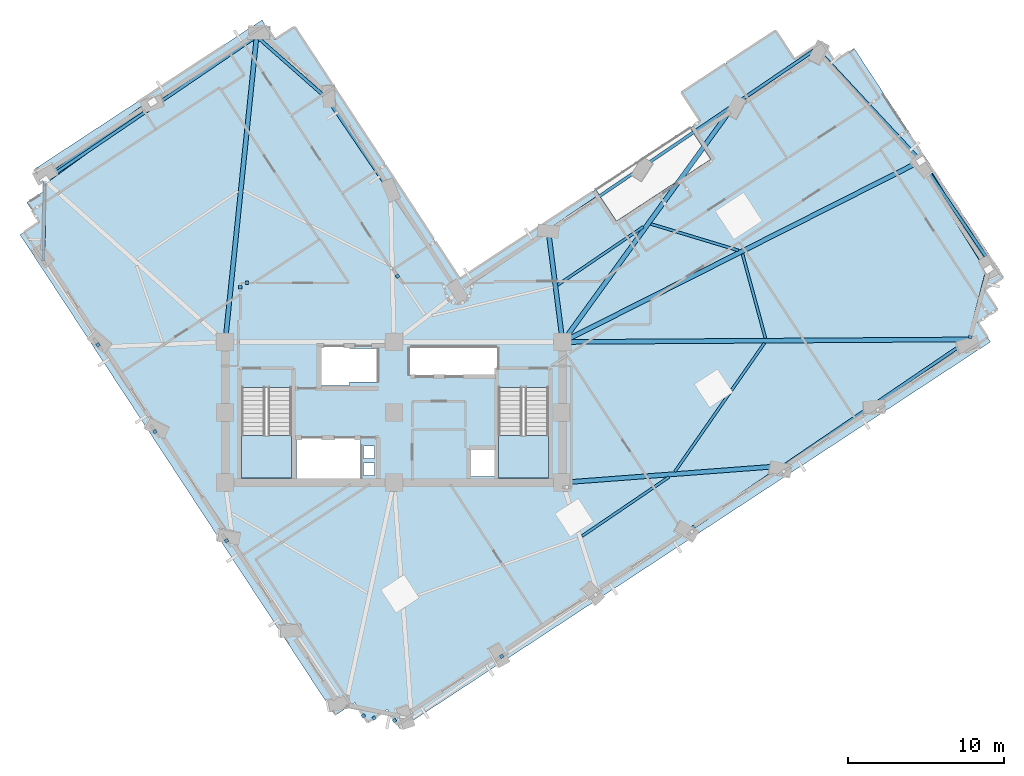
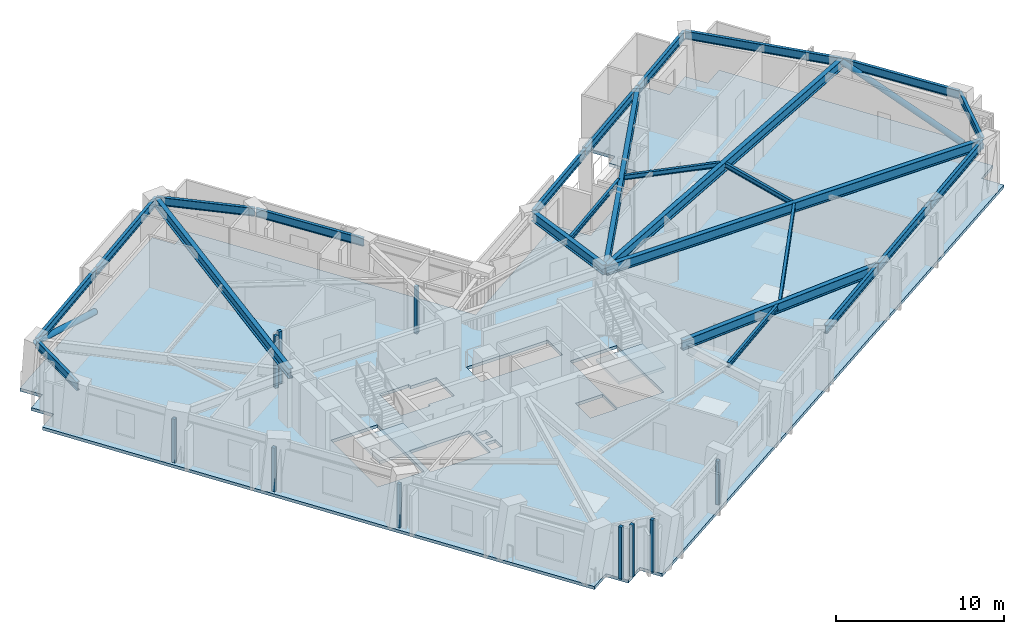
# One storey, part 2 of 14: 25 beams, 10 plates, 3 slabs, 2 members, 2 elements without a shape of their own.
"""IFC4 building model written with IfcOpenShell, lengths in metres."""

from ifc_helpers import new_model, si_unit, direction, frame, origin, origin_2d, place, context, subcontext, project, spatial, polyline, rectangle, hollow_circle, i_section, outline, extrude, material, layer, layer_set, material_profile, profile_set, type_object, element, aggregate, save


model = new_model("IFC4")

# Units and contexts
model_context = context("Model", 3, precision=1e-05, world=origin(), true_north=direction((0.0, 1.0)))
body_context = subcontext(model_context, "Body", "Model", "MODEL_VIEW")
ifc_project = project(units=[si_unit("LENGTHUNIT", "METRE"), si_unit("AREAUNIT", "SQUARE_METRE"), si_unit("VOLUMEUNIT", "CUBIC_METRE"), si_unit("PLANEANGLEUNIT", "RADIAN"), si_unit("MASSUNIT", "GRAM", prefix="KILO")], contexts=[model_context])

# Site, building, storey
site_placement = place(None, origin())
site = spatial("IfcSite", under=ifc_project, at=site_placement, CompositionType="ELEMENT")
building_placement = place(site_placement, origin())
building = spatial("IfcBuilding", under=site, at=building_placement, Name="Gaonmaruhae Medical Tower", CompositionType="ELEMENT")
storey_placement = place(building_placement, frame((0.0, 0.0, 165.800048828125)))
storey = spatial("IfcBuildingStorey", under=building, at=storey_placement, Name="L39", CompositionType="ELEMENT", Elevation=165.800048828125)

# Beams
ifc_material_1 = material(Name="Steel SM355", Category="steel")
ifc_material_profile_1 = material_profile(ifc_material_1, i_section(OverallWidth=0.175048828125, OverallDepth=0.35009765625, WebThickness=0.007080078125, FlangeThickness=0.010986328125, FilletRadius=0.012939453125, at=origin_2d()), Name="H-350x175x7x11")
ifc_profile_set_1 = profile_set([ifc_material_profile_1], Name="Steel SM355")
beam_type_1 = type_object("IfcBeamType", Name="FJ-02 Upper Zone Ward Floor Joist (H-350x175x7x11)", PredefinedType="JOIST", material=ifc_profile_set_1)
beam_1_placement = place(storey_placement, frame((36.852294921875, 4.379638671875, 3.60498046875), z_axis=(0.827078280757, 0.562086752646, 0.0), x_axis=(-0.562086752646, 0.827078280757, 0.0)))
element("IfcBeam", 1, at=beam_1_placement, inside=storey, type_object=beam_type_1, Name="L39 Secondary Floor Joist FJ02", PredefinedType="JOIST", context=body_context, shape_type="SweptSolid", body=[
    extrude(i_section(OverallWidth=0.175048828125, OverallDepth=0.35009765625, WebThickness=0.007080078125, FlangeThickness=0.010986328125, FilletRadius=0.012939453125, at=origin_2d()), origin(), (0.0, 0.0, 1.0), 6.730224609375),
])
beam_2_placement = place(storey_placement, frame((42.786865234375, 8.4990234375, 3.60498046875), z_axis=(0.571652127654, 0.820496096851, 0.0), x_axis=(-0.820496096851, 0.571652127654, 0.0)))
element("IfcBeam", 2, at=beam_2_placement, inside=storey, type_object=beam_type_1, Name="L39 Secondary Floor Joist FJ03", PredefinedType="JOIST", context=body_context, shape_type="SweptSolid", body=[
    extrude(i_section(OverallWidth=0.175048828125, OverallDepth=0.35009765625, WebThickness=0.007080078125, FlangeThickness=0.010986328125, FilletRadius=0.012939453125, at=origin_2d()), origin(), (0.0, 0.0, 1.0), 10.02783203125),
])
beam_3_placement = place(storey_placement, frame((48.58544921875, 17.037841796875, 3.60498046875), z_axis=(-0.262696936959, 0.964878396127, 0.0), x_axis=(-0.964878396127, -0.262696936959, 0.0)))
element("IfcBeam", 3, at=beam_3_placement, inside=storey, type_object=beam_type_1, Name="L39 Secondary Floor Joist FJ04", PredefinedType="JOIST", context=body_context, shape_type="SweptSolid", body=[
    extrude(i_section(OverallWidth=0.175048828125, OverallDepth=0.35009765625, WebThickness=0.007080078125, FlangeThickness=0.010986328125, FilletRadius=0.012939453125, at=origin_2d()), origin(), (0.0, 0.0, 1.0), 5.601318359375),
])
beam_4_placement = place(storey_placement, frame((46.8583984375, 22.66064453125, 3.60498046875), z_axis=(-0.95723050989, 0.28932637442, 0.0), x_axis=(-0.28932637442, -0.95723050989, 0.0)))
element("IfcBeam", 4, at=beam_4_placement, inside=storey, type_object=beam_type_1, Name="L39 Secondary Floor Joist FJ05", PredefinedType="JOIST", context=body_context, shape_type="SweptSolid", body=[
    extrude(i_section(OverallWidth=0.175048828125, OverallDepth=0.35009765625, WebThickness=0.007080078125, FlangeThickness=0.010986328125, FilletRadius=0.012939453125, at=origin_2d()), origin(), (0.0, 0.0, 1.0), 5.85107421875),
])
beam_5_placement = place(storey_placement, frame((40.768310546875, 24.176025390625, 3.60498046875), z_axis=(-0.827079317666, -0.562085226892, 0.0), x_axis=(0.562085226892, -0.827079317666, 0.0)))
element("IfcBeam", 5, at=beam_5_placement, inside=storey, type_object=beam_type_1, Name="L39 Secondary Floor Joist FJ06", PredefinedType="JOIST", context=body_context, shape_type="SweptSolid", body=[
    extrude(i_section(OverallWidth=0.175048828125, OverallDepth=0.35009765625, WebThickness=0.007080078125, FlangeThickness=0.010986328125, FilletRadius=0.012939453125, at=origin_2d()), origin(), (0.0, 0.0, 1.0), 6.625),
])

# Members
ifc_material_2 = material(Name="Steel SM420", Category="steel")
ifc_material_profile_2 = material_profile(ifc_material_2, hollow_circle(Radius=0.203125, WallThickness=0.0126953125, at=origin_2d()), Name="CHS-406.4x12.7")
ifc_profile_set_2 = profile_set([ifc_material_profile_2], Name="Steel SM420")
member_type = type_object("IfcMemberType", Name="PB-02 Perimeter Solid-Bay Tube Brace Mid (CHS-406.4x12.7)", PredefinedType="BRACE", material=ifc_profile_set_2)
member_1_placement = place(storey_placement, frame((62.877197265625, 21.454833984375, 0.25), z_axis=(-0.49168199219, 0.787212042941, 0.372217702433), x_axis=(-0.848155900958, -0.529746701425, 0.0)))
element("IfcMember", 6, at=member_1_placement, inside=storey, type_object=member_type, Name="L39 Perimeter Tube Solid-Bay Brace E01-E02", PredefinedType="BRACE", context=body_context, shape_type="SweptSolid", body=[
    extrude(hollow_circle(Radius=0.203125, WallThickness=0.0126953125, at=origin_2d()), origin(), (0.0, 0.0, 1.0), 8.81201171875),
])
member_2_placement = place(storey_placement, frame((9.345947265625, 32.156005859375, 0.25), z_axis=(-0.755173806647, -0.548512940048, 0.358951356529), x_axis=(0.587677994626, -0.809094910769, 0.0)))
element("IfcMember", 7, at=member_2_placement, inside=storey, type_object=member_type, Name="L39 Perimeter Tube Solid-Bay Brace N02-N03", PredefinedType="BRACE", context=body_context, shape_type="SweptSolid", body=[
    extrude(hollow_circle(Radius=0.203125, WallThickness=0.0126953125, at=origin_2d()), origin(), (0.0, 0.0, 1.0), 9.1376953125),
])

# Beams
ifc_material_profile_3 = material_profile(ifc_material_2, i_section(OverallWidth=0.300048828125, OverallDepth=0.699951171875, WebThickness=0.012939453125, FlangeThickness=0.02392578125, FilletRadius=0.01806640625, at=origin_2d()), Name="H-700x300x13x24")
ifc_profile_set_3 = profile_set([ifc_material_profile_3], Name="Steel SM420")
beam_type_2 = type_object("IfcBeamType", Name="PG-03 Zone 3 Radial Floor Girder (H-700x300x13x24)", PredefinedType="BEAM", material=ifc_profile_set_3)
beam_6_placement = place(storey_placement, frame((35.64990234375, 7.8037109375, 3.429931640625), z_axis=(0.997147137082, 0.075482362239, 0.0), x_axis=(-0.075482362239, 0.997147137082, 0.0)))
element("IfcBeam", 8, at=beam_6_placement, inside=storey, type_object=beam_type_2, Name="L39 Radial Primary Girder S05", PredefinedType="BEAM", context=body_context, shape_type="SweptSolid", body=[
    extrude(i_section(OverallWidth=0.300048828125, OverallDepth=0.699951171875, WebThickness=0.012939453125, FlangeThickness=0.02392578125, FilletRadius=0.01806640625, at=origin_2d()), origin(), (0.0, 0.0, 1.0), 14.0859375),
])
beam_7_placement = place(storey_placement, frame((35.64990234375, 16.80029296875, 3.429931640625), z_axis=(0.99998002372, 0.006320772203, 0.0), x_axis=(-0.006320772203, 0.99998002372, 0.0)))
element("IfcBeam", 9, at=beam_7_placement, inside=storey, type_object=beam_type_2, Name="L39 Radial Primary Girder S07", PredefinedType="BEAM", context=body_context, shape_type="SweptSolid", body=[
    extrude(i_section(OverallWidth=0.300048828125, OverallDepth=0.699951171875, WebThickness=0.012939453125, FlangeThickness=0.02392578125, FilletRadius=0.01806640625, at=origin_2d()), origin(), (0.0, 0.0, 1.0), 25.9560546875),
])
beam_8_placement = place(storey_placement, frame((35.64453125, 16.822509765625, 3.429931640625), z_axis=(0.892556421692, 0.45093573167, 0.0), x_axis=(-0.45093573167, 0.892556421692, 0.0)))
element("IfcBeam", 10, at=beam_8_placement, inside=storey, type_object=beam_type_2, Name="L39 Radial Primary Girder E02", PredefinedType="BEAM", context=body_context, shape_type="SweptSolid", body=[
    extrude(i_section(OverallWidth=0.300048828125, OverallDepth=0.699951171875, WebThickness=0.012939453125, FlangeThickness=0.02392578125, FilletRadius=0.01806640625, at=origin_2d()), origin(), (0.0, 0.0, 1.0), 25.6064453125),
])
beam_9_placement = place(storey_placement, frame((35.62939453125, 16.840576171875, 3.409912109375), z_axis=(0.586199076556, 0.810167046136, 0.0), x_axis=(-0.810167046136, 0.586199076556, 0.0)))
element("IfcBeam", 11, at=beam_9_placement, inside=storey, type_object=beam_type_2, Name="L39 Radial Primary Girder EN01", PredefinedType="BEAM", context=body_context, shape_type="SweptSolid", body=[
    extrude(i_section(OverallWidth=0.300048828125, OverallDepth=0.699951171875, WebThickness=0.012939453125, FlangeThickness=0.02392578125, FilletRadius=0.01806640625, at=origin_2d()), origin(), (0.0, 0.0, 1.0), 18.6640625),
])
beam_10_placement = place(storey_placement, frame((35.59375, 16.849609375, 3.429931640625), z_axis=(-0.127040551604, 0.991897524066, 0.0), x_axis=(-0.991897524066, -0.127040551604, 0.0)))
element("IfcBeam", 12, at=beam_10_placement, inside=storey, type_object=beam_type_2, Name="L39 Radial Primary Girder EN03", PredefinedType="BEAM", context=body_context, shape_type="SweptSolid", body=[
    extrude(i_section(OverallWidth=0.300048828125, OverallDepth=0.699951171875, WebThickness=0.012939453125, FlangeThickness=0.02392578125, FilletRadius=0.01806640625, at=origin_2d()), origin(), (0.0, 0.0, 1.0), 7.06640625),
])
beam_11_placement = place(storey_placement, frame((14.005126953125, 16.849853515625, 3.429931640625), z_axis=(0.102186863628, 0.994765220995, 0.0), x_axis=(-0.994765220995, 0.102186863628, 0.0)))
element("IfcBeam", 13, at=beam_11_placement, inside=storey, type_object=beam_type_2, Name="L39 Radial Primary Girder N01", PredefinedType="BEAM", context=body_context, shape_type="SweptSolid", body=[
    extrude(i_section(OverallWidth=0.300048828125, OverallDepth=0.699951171875, WebThickness=0.012939453125, FlangeThickness=0.02392578125, FilletRadius=0.01806640625, at=origin_2d()), origin(), (0.0, 0.0, 1.0), 19.56494140625),
])
ifc_material_profile_4 = material_profile(ifc_material_1, i_section(OverallWidth=0.199951171875, OverallDepth=0.60009765625, WebThickness=0.010986328125, FlangeThickness=0.01708984375, FilletRadius=0.012939453125, at=origin_2d()), Name="H-600x200x11x17")
ifc_profile_set_4 = profile_set([ifc_material_profile_4], Name="Steel SM355")
beam_type_3 = type_object("IfcBeamType", Name="SP-01 Lower Perimeter Spandrel Beam (H-600x200x11x17)", PredefinedType="SPANDREL", material=ifc_profile_set_4)
beam_12_placement = place(storey_placement, frame((43.82373046875, 4.84619140625, 3.47998046875), z_axis=(0.827079539268, 0.562084900816, 0.0), x_axis=(-0.562084900816, 0.827079539268, 0.0)))
element("IfcBeam", 14, at=beam_12_placement, inside=storey, type_object=beam_type_3, Name="L39 Perimeter Spandrel Beam S04-S05", PredefinedType="SPANDREL", context=body_context, shape_type="SweptSolid", body=[
    extrude(i_section(OverallWidth=0.199951171875, OverallDepth=0.60009765625, WebThickness=0.010986328125, FlangeThickness=0.01708984375, FilletRadius=0.012939453125, at=origin_2d()), origin(), (0.0, 0.0, 1.0), 7.119873046875),
])
beam_13_placement = place(storey_placement, frame((49.778564453125, 8.89306640625, 3.47998046875), z_axis=(0.827090372432, 0.562068960031, 0.0), x_axis=(-0.562068960031, 0.827090372432, 0.0)))
element("IfcBeam", 15, at=beam_13_placement, inside=storey, type_object=beam_type_3, Name="L39 Perimeter Spandrel Beam S05-S06", PredefinedType="SPANDREL", context=body_context, shape_type="SweptSolid", body=[
    extrude(i_section(OverallWidth=0.199951171875, OverallDepth=0.60009765625, WebThickness=0.010986328125, FlangeThickness=0.01708984375, FilletRadius=0.012939453125, at=origin_2d()), origin(), (0.0, 0.0, 1.0), 7.1201171875),
])
beam_14_placement = place(storey_placement, frame((55.733642578125, 12.940185546875, 3.47998046875), z_axis=(0.827079539268, 0.562084900816, 0.0), x_axis=(-0.562084900816, 0.827079539268, 0.0)))
element("IfcBeam", 16, at=beam_14_placement, inside=storey, type_object=beam_type_3, Name="L39 Perimeter Spandrel Beam S06-S07", PredefinedType="SPANDREL", context=body_context, shape_type="SweptSolid", body=[
    extrude(i_section(OverallWidth=0.199951171875, OverallDepth=0.60009765625, WebThickness=0.010986328125, FlangeThickness=0.01708984375, FilletRadius=0.012939453125, at=origin_2d()), origin(), (0.0, 0.0, 1.0), 7.119873046875),
])
beam_15_placement = place(storey_placement, frame((61.665283203125, 17.00341796875, 3.47998046875), z_axis=(0.247894377609, 0.968787065123, 0.0), x_axis=(-0.968787065123, 0.247894377609, 0.0)))
element("IfcBeam", 17, at=beam_15_placement, inside=storey, type_object=beam_type_3, Name="L39 Perimeter Spandrel Beam S07-E01", PredefinedType="SPANDREL", context=body_context, shape_type="SweptSolid", body=[
    extrude(i_section(OverallWidth=0.199951171875, OverallDepth=0.60009765625, WebThickness=0.010986328125, FlangeThickness=0.01708984375, FilletRadius=0.012939453125, at=origin_2d()), origin(), (0.0, 0.0, 1.0), 5.05615234375),
])
beam_16_placement = place(storey_placement, frame((62.90625, 21.973876953125, 3.47998046875), z_axis=(-0.562092886716, 0.827074111977, 0.0), x_axis=(-0.827074111977, -0.562092886716, 0.0)))
element("IfcBeam", 18, at=beam_16_placement, inside=storey, type_object=beam_type_3, Name="L39 Perimeter Spandrel Beam E01-E02", PredefinedType="SPANDREL", context=body_context, shape_type="SweptSolid", body=[
    extrude(i_section(OverallWidth=0.199951171875, OverallDepth=0.60009765625, WebThickness=0.010986328125, FlangeThickness=0.01708984375, FilletRadius=0.012939453125, at=origin_2d()), origin(), (0.0, 0.0, 1.0), 7.719970703125),
])
beam_17_placement = place(storey_placement, frame((58.51708984375, 28.421142578125, 3.47998046875), z_axis=(-0.681869577996, 0.731473771644, 0.0), x_axis=(-0.731473771644, -0.681869577996, 0.0)))
element("IfcBeam", 19, at=beam_17_placement, inside=storey, type_object=beam_type_3, Name="L39 Perimeter Spandrel Beam E02-E03", PredefinedType="SPANDREL", context=body_context, shape_type="SweptSolid", body=[
    extrude(i_section(OverallWidth=0.199951171875, OverallDepth=0.60009765625, WebThickness=0.010986328125, FlangeThickness=0.01708984375, FilletRadius=0.012939453125, at=origin_2d()), origin(), (0.0, 0.0, 1.0), 9.7353515625),
])
beam_18_placement = place(storey_placement, frame((51.818603515625, 35.549072265625, 3.47998046875), z_axis=(-0.827081448421, -0.562082091583, 0.0), x_axis=(0.562082091583, -0.827081448421, 0.0)))
element("IfcBeam", 20, at=beam_18_placement, inside=storey, type_object=beam_type_3, Name="L39 Perimeter Spandrel Beam E03-EN01", PredefinedType="SPANDREL", context=body_context, shape_type="SweptSolid", body=[
    extrude(i_section(OverallWidth=0.199951171875, OverallDepth=0.60009765625, WebThickness=0.010986328125, FlangeThickness=0.01708984375, FilletRadius=0.012939453125, at=origin_2d()), origin(), (0.0, 0.0, 1.0), 6.270263671875),
])
beam_19_placement = place(storey_placement, frame((46.56640625, 31.979736328125, 3.4599609375), z_axis=(-0.827079539268, -0.562084900816, 0.0), x_axis=(0.562084900816, -0.827079539268, 0.0)))
element("IfcBeam", 21, at=beam_19_placement, inside=storey, type_object=beam_type_3, Name="L39 Perimeter Spandrel Beam EN01-EN02", PredefinedType="SPANDREL", context=body_context, shape_type="SweptSolid", body=[
    extrude(i_section(OverallWidth=0.199951171875, OverallDepth=0.60009765625, WebThickness=0.010986328125, FlangeThickness=0.01708984375, FilletRadius=0.012939453125, at=origin_2d()), origin(), (0.0, 0.0, 1.0), 7.119873046875),
])
beam_20_placement = place(storey_placement, frame((40.611572265625, 27.932861328125, 3.4599609375), z_axis=(-0.82707443197, -0.562092415873, 0.0), x_axis=(0.562092415873, -0.82707443197, 0.0)))
element("IfcBeam", 22, at=beam_20_placement, inside=storey, type_object=beam_type_3, Name="L39 Perimeter Spandrel Beam EN02-EN03", PredefinedType="SPANDREL", context=body_context, shape_type="SweptSolid", body=[
    extrude(i_section(OverallWidth=0.199951171875, OverallDepth=0.60009765625, WebThickness=0.010986328125, FlangeThickness=0.01708984375, FilletRadius=0.012939453125, at=origin_2d()), origin(), (0.0, 0.0, 1.0), 7.1201171875),
])
beam_21_placement = place(storey_placement, frame((24.562744140625, 26.44482421875, 3.47998046875), z_axis=(-0.562084900816, 0.827079539268, 0.0), x_axis=(-0.827079539268, -0.562084900816, 0.0)))
element("IfcBeam", 23, at=beam_21_placement, inside=storey, type_object=beam_type_3, Name="L39 Perimeter Spandrel Beam NE01-NE02", PredefinedType="SPANDREL", context=body_context, shape_type="SweptSolid", body=[
    extrude(i_section(OverallWidth=0.199951171875, OverallDepth=0.60009765625, WebThickness=0.010986328125, FlangeThickness=0.01708984375, FilletRadius=0.012939453125, at=origin_2d()), origin(), (0.0, 0.0, 1.0), 7.119873046875),
])
beam_22_placement = place(storey_placement, frame((20.50830078125, 32.39306640625, 3.47998046875), z_axis=(-0.749890458675, 0.661562015225, 0.0), x_axis=(-0.661562015225, -0.749890458675, 0.0)))
element("IfcBeam", 24, at=beam_22_placement, inside=storey, type_object=beam_type_3, Name="L39 Perimeter Spandrel Beam NE02-N01", PredefinedType="SPANDREL", context=body_context, shape_type="SweptSolid", body=[
    extrude(i_section(OverallWidth=0.199951171875, OverallDepth=0.60009765625, WebThickness=0.010986328125, FlangeThickness=0.01708984375, FilletRadius=0.012939453125, at=origin_2d()), origin(), (0.0, 0.0, 1.0), 5.959228515625),
])
for number, where, z_axis, x_axis, name in (
    (25, (15.976318359375, 36.33935546875, 3.47998046875), (-0.827086409921, -0.562074790863, 0.0), (0.562074790863, -0.827086409921, 0.0), "L39 Perimeter Spandrel Beam N01-N02"),
    (26, (9.1943359375, 31.73046875, 3.47998046875), (-0.827072432165, -0.562095358416, 0.0), (0.562095358416, -0.827072432165, 0.0), "L39 Perimeter Spandrel Beam N02-N03"),
):
    element("IfcBeam", number, at=place(storey_placement, frame(where, z_axis=z_axis, x_axis=x_axis)), inside=storey, type_object=beam_type_3, Name=name, PredefinedType="SPANDREL", context=body_context, shape_type="SweptSolid", body=[
        extrude(i_section(OverallWidth=0.199951171875, OverallDepth=0.60009765625, WebThickness=0.010986328125, FlangeThickness=0.01708984375, FilletRadius=0.012939453125, at=origin_2d()), origin(), (0.0, 0.0, 1.0), 8.119873046875),
    ])
beam_23_placement = place(storey_placement, frame((2.444580078125, 27.103759765625, 3.47998046875), z_axis=(-0.017730920517, -0.999842794872, 0.0), x_axis=(0.999842794872, -0.017730920517, 0.0)))
element("IfcBeam", 27, at=beam_23_placement, inside=storey, type_object=beam_type_3, Name="L39 Perimeter Spandrel Beam N03-W01", PredefinedType="SPANDREL", context=body_context, shape_type="SweptSolid", body=[
    extrude(i_section(OverallWidth=0.199951171875, OverallDepth=0.60009765625, WebThickness=0.010986328125, FlangeThickness=0.01708984375, FilletRadius=0.012939453125, at=origin_2d()), origin(), (0.0, 0.0, 1.0), 5.1220703125),
])

# Slab
ifc_material_3 = material(Name="Concrete C40/50", Category="concrete")
ifc_layer_1 = layer(ifc_material_3, 0.219970703125)
ifc_layer_set_1 = layer_set([ifc_layer_1], Name="Concrete C40/50")
slab_type_1 = type_object("IfcSlabType", Name="FS-220 Clinical Ward Composite Floor Slab", PredefinedType="FLOOR", material=ifc_layer_set_1)
slab_1_placement = place(storey_placement, frame((0.0, 0.0, -0.219970703125)))
element("IfcSlab", 28, at=slab_1_placement, inside=storey, type_object=slab_type_1, Name="L39 Structural Slab 1", PredefinedType="FLOOR", context=body_context, shape_type="SweptSolid", body=[
    extrude(outline(polyline([(53.008544921875, 34.7744140625), (54.262939453125, 35.596923828125), (63.85791015625, 20.9619140625), (62.603515625, 20.139404296875), (63.426025390625, 18.885009765625), (62.171630859375, 18.0625), (62.994140625, 16.80810546875), (25.19384765625, -7.974609375), (24.37158203125, -6.72021484375), (23.1171875, -7.542724609375), (22.294677734375, -6.2880859375), (21.040283203125, -7.110595703125), (0.863037109375, 23.664794921875), (2.117431640625, 24.487060546875), (1.294921875, 25.741455078125), (2.54931640625, 26.56396484375), (1.72705078125, 27.818359375), (16.362060546875, 37.41357421875), (17.184326171875, 36.1591796875), (18.43896484375, 36.9814453125), (29.02099609375, 20.84130859375), (37.732421875, 26.552734375), (39.04833984375, 24.545654296875), (45.069580078125, 28.493408203125), (43.75390625, 30.50048828125), (44.4228515625, 30.939208984375), (43.216552734375, 32.779052734375), (49.23779296875, 36.726806640625), (50.444091796875, 34.88671875), (52.18603515625, 36.02880859375), (53.008544921875, 34.7744140625)]), holes=[polyline([(23.550048828125, 8.25), (22.85009765625, 8.25), (22.85009765625, 9.050048828125), (23.550048828125, 9.050048828125), (23.550048828125, 8.25)]), polyline([(31.425048828125, 9.925048828125), (31.425048828125, 8.175048828125), (29.574951171875, 8.175048828125), (29.574951171875, 9.925048828125), (31.425048828125, 9.925048828125)]), polyline([(22.64990234375, 10.625), (22.64990234375, 8.074951171875), (18.550048828125, 8.074951171875), (18.550048828125, 10.625), (22.64990234375, 10.625)]), polyline([(23.550048828125, 9.35009765625), (22.85009765625, 9.35009765625), (22.85009765625, 10.14990234375), (23.550048828125, 10.14990234375), (23.550048828125, 9.35009765625)]), polyline([(15.050048828125, 13.889892578125), (18.25, 13.889892578125), (18.25, 8.300048828125), (15.050048828125, 8.300048828125), (15.050048828125, 13.889892578125)]), polyline([(31.5, 13.889892578125), (34.699951171875, 13.889892578125), (34.699951171875, 8.300048828125), (31.5, 8.300048828125), (31.5, 13.889892578125)]), polyline([(21.949951171875, 14.22509765625), (21.949951171875, 14.02490234375), (19.949951171875, 14.02490234375), (19.949951171875, 16.574951171875), (21.949951171875, 16.574951171875), (21.949951171875, 16.375), (23.72509765625, 16.375), (23.72509765625, 14.22509765625), (21.949951171875, 14.22509765625)]), polyline([(31.425048828125, 16.425048828125), (31.425048828125, 14.675048828125), (25.824951171875, 14.675048828125), (25.824951171875, 16.425048828125), (31.425048828125, 16.425048828125)])]), origin(), (0.0, 0.0, 1.0), 0.219970703125),
])

# Plates
ifc_material_4 = material(Name="Anodised aluminium 6063-T6", Category="aluminium")
ifc_layer_2 = layer(ifc_material_4, 0.011962890625)
ifc_layer_set_2 = layer_set([ifc_layer_2], Name="Anodised aluminium 6063-T6")
plate_type = type_object("IfcPlateType", Name="PP-01 Interior Partition Corner Stiffener Plate", PredefinedType="SHEET", material=ifc_layer_set_2)
plate_1_placement = place(storey_placement, frame((22.846435546875, -7.1298828125, 0.0), z_axis=(0.0, 0.0, 1.0), x_axis=(-0.547899078089, 0.83654444008, 0.0)))
element("IfcPlate", 29, at=plate_1_placement, inside=storey, type_object=plate_type, Name="L39 Partition Corner Stiffener Plate PLT-L39-JGP-PW007", PredefinedType="SHEET", context=body_context, shape_type="SweptSolid", body=[
    extrude(rectangle(XDim=0.219970703125, YDim=0.219970703125, at=origin_2d()), origin(), (0.0, 0.0, 1.0), 3.780029296875),
])
plate_2_placement = place(storey_placement, frame((31.697021484375, -3.32861328125, 0.0), z_axis=(0.0, 0.0, 1.0), x_axis=(-0.836706968184, -0.547650846244, 0.0)))
element("IfcPlate", 30, at=plate_2_placement, inside=storey, type_object=plate_type, Name="L39 Partition Corner Stiffener Plate PLT-L39-JGP-PW011", PredefinedType="SHEET", context=body_context, shape_type="SweptSolid", body=[
    extrude(rectangle(XDim=0.219970703125, YDim=0.219970703125, at=origin_2d()), origin(), (0.0, 0.0, 1.0), 3.1650390625),
])
for number, where, z_axis, x_axis, name in (
    (31, (24.8349609375, -7.427978515625, 0.0), (0.0, 0.0, 1.0), (-0.54845377483, 0.836180875693, 0.0), "L39 Partition Corner Stiffener Plate PLT-L39-JGP-PW013"),
    (32, (23.529541015625, -7.27197265625, 0.0), (0.0, 0.0, 1.0), (-0.835769030308, -0.549081167022, 0.0), "L39 Partition Corner Stiffener Plate PLT-L39-JGP-PW014"),
):
    element("IfcPlate", number, at=place(storey_placement, frame(where, z_axis=z_axis, x_axis=x_axis)), inside=storey, type_object=plate_type, Name=name, PredefinedType="SHEET", context=body_context, shape_type="SweptSolid", body=[
        extrude(rectangle(XDim=0.219970703125, YDim=0.219970703125, at=origin_2d()), origin(), (0.0, 0.0, 1.0), 3.780029296875),
    ])
for number, where, z_axis, x_axis, name in (
    (33, (14.08544921875, 4.08154296875, 0.0), (0.0, 0.0, 1.0), (-0.548366207167, 0.836238305053, 0.0), "L39 Partition Corner Stiffener Plate PLT-L39-JGP-PW039"),
    (34, (9.507568359375, 11.06396484375, 0.0), (0.0, 0.0, 1.0), (-0.54746098936, 0.836831204682, 0.0), "L39 Partition Corner Stiffener Plate PLT-L39-JGP-PW040"),
):
    element("IfcPlate", number, at=place(storey_placement, frame(where, z_axis=z_axis, x_axis=x_axis)), inside=storey, type_object=plate_type, Name=name, PredefinedType="SHEET", context=body_context, shape_type="SweptSolid", body=[
        extrude(rectangle(XDim=0.219970703125, YDim=0.219970703125, at=origin_2d()), origin(), (0.0, 0.0, 1.0), 3.1650390625),
    ])
plate_3_placement = place(storey_placement, frame((14.969970703125, 20.297119140625, 0.0), z_axis=(0.0, 0.0, 1.0), x_axis=(0.0, -1.0, 0.0)))
element("IfcPlate", 35, at=plate_3_placement, inside=storey, type_object=plate_type, Name="L39 Partition Corner Stiffener Plate PLT-L39-JGP-PW043", PredefinedType="SHEET", context=body_context, shape_type="SweptSolid", body=[
    extrude(rectangle(XDim=0.219970703125, YDim=0.219970703125, at=origin_2d()), origin(), (0.0, 0.0, 1.0), 3.780029296875),
])
plate_4_placement = place(storey_placement, frame((5.861572265625, 16.62451171875, 0.0), z_axis=(0.0, 0.0, 1.0), x_axis=(-0.548818575345, 0.835941487998, 0.0)))
element("IfcPlate", 36, at=plate_4_placement, inside=storey, type_object=plate_type, Name="L39 Partition Corner Stiffener Plate PLT-L39-JGP-PW044", PredefinedType="SHEET", context=body_context, shape_type="SweptSolid", body=[
    extrude(rectangle(XDim=0.219970703125, YDim=0.219970703125, at=origin_2d()), origin(), (0.0, 0.0, 1.0), 3.1650390625),
])
plate_5_placement = place(storey_placement, frame((15.39453125, 20.580078125, 0.0), z_axis=(0.0, 0.0, 1.0), x_axis=(-1.0, 0.0, 0.0)))
element("IfcPlate", 37, at=plate_5_placement, inside=storey, type_object=plate_type, Name="L39 Partition Corner Stiffener Plate PLT-L39-JGP-PW052", PredefinedType="SHEET", context=body_context, shape_type="SweptSolid", body=[
    extrude(rectangle(XDim=0.219970703125, YDim=0.219970703125, at=origin_2d()), origin(), (0.0, 0.0, 1.0), 3.780029296875),
])
plate_6_placement = place(storey_placement, frame((25.033447265625, 21.013916015625, 0.0), z_axis=(0.0, 0.0, 1.0), x_axis=(-0.548234844396, 0.836324431898, 0.0)))
element("IfcPlate", 38, at=plate_6_placement, inside=storey, type_object=plate_type, Name="L39 Partition Corner Stiffener Plate PLT-L39-JGP-PW061", PredefinedType="SHEET", context=body_context, shape_type="SweptSolid", body=[
    extrude(rectangle(XDim=0.219970703125, YDim=0.219970703125, at=origin_2d()), origin(), (0.0, 0.0, 1.0), 3.4150390625),
])

# Stair, slab
stair_type = type_object("IfcStairType", Name="ST-T1 Primary Core Escape Dogleg Stair", PredefinedType="TWO_QUARTER_TURN_STAIR", material=ifc_material_3)
stair_1_placement = place(storey_placement, origin())
stair_1 = element("IfcStair", 39, at=stair_1_placement, inside=storey, type_object=stair_type, Name="L39 Protected Escape Stair ST-01", PredefinedType="TWO_QUARTER_TURN_STAIR")
ifc_layer_3 = layer(ifc_material_3, 0.199951171875)
ifc_layer_set_3 = layer_set([ifc_layer_3], Name="Concrete C40/50")
slab_type_2 = type_object("IfcSlabType", Name="SL-200 Stair & Ramp Intermediate Concrete Landing", PredefinedType="LANDING", material=ifc_layer_set_3)
slab_2_placement = place(storey_placement, frame((0.0, 0.0, 1.800048828125)))
slab_2 = element("IfcSlab", 40, at=slab_2_placement, type_object=slab_type_2, Name="ST-01 landing 1", PredefinedType="LANDING", context=body_context, shape_type="SweptSolid", body=[
    extrude(outline(polyline([(15.050048828125, 10.820068359375), (15.050048828125, 8.0791015625), (18.25, 8.0791015625), (18.25, 10.820068359375), (15.050048828125, 10.820068359375)])), origin(), (0.0, 0.0, 1.0), 0.199951171875),
])
aggregate(stair_1, [slab_2])

stair_2_placement = place(storey_placement, origin())
stair_2 = element("IfcStair", 41, at=stair_2_placement, inside=storey, type_object=stair_type, Name="L39 Protected Escape Stair ST-02", PredefinedType="TWO_QUARTER_TURN_STAIR")
slab_3_placement = place(storey_placement, frame((0.0, 0.0, 1.800048828125)))
slab_3 = element("IfcSlab", 42, at=slab_3_placement, type_object=slab_type_2, Name="ST-02 landing 1", PredefinedType="LANDING", context=body_context, shape_type="SweptSolid", body=[
    extrude(outline(polyline([(31.5, 10.820068359375), (31.5, 8.0791015625), (34.699951171875, 8.0791015625), (34.699951171875, 10.820068359375), (31.5, 10.820068359375)])), origin(), (0.0, 0.0, 1.0), 0.199951171875),
])
aggregate(stair_2, [slab_3])

save(model, "model.ifc")
